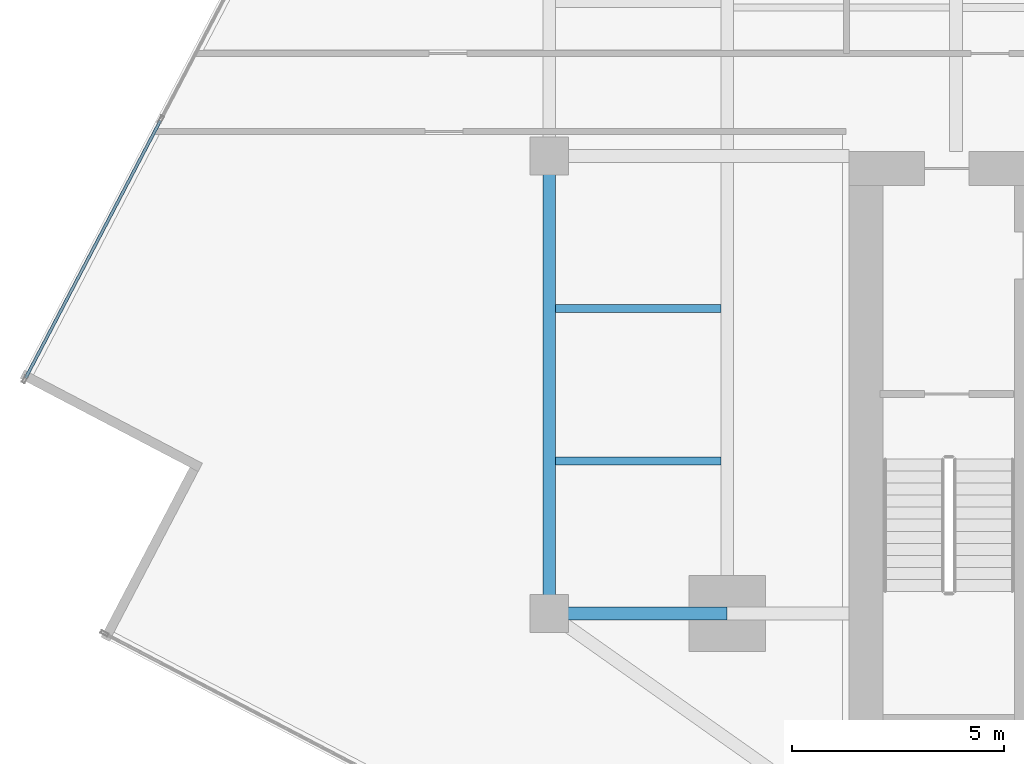
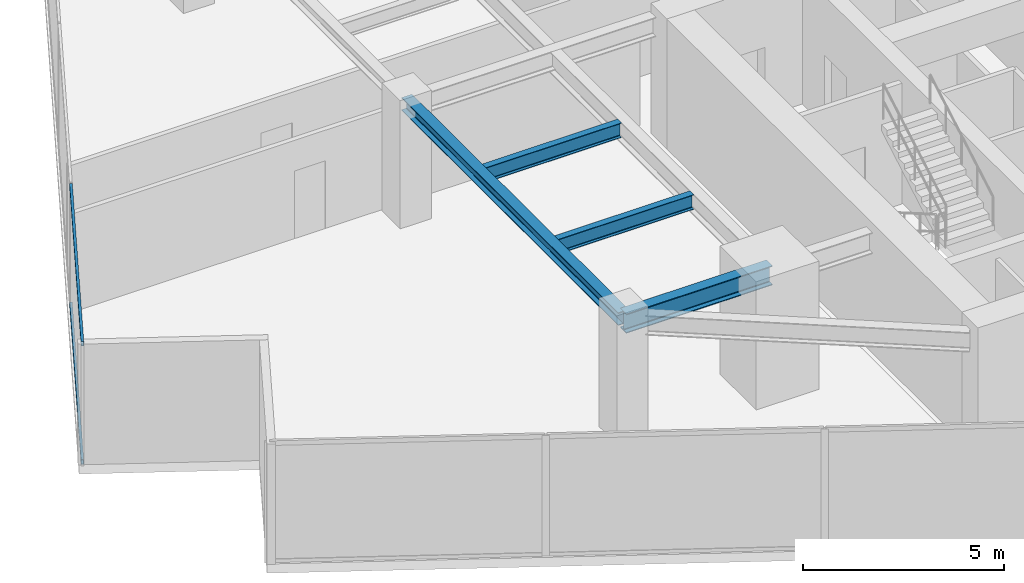
# One storey, part 6 of 27: 4 beams, 2 members, 1 element without a shape of its own.
"""IFC4 building model written with IfcOpenShell, lengths in metres."""

from ifc_helpers import new_model, si_unit, direction, frame, origin, origin_2d, place, context, subcontext, project, spatial, hollow_rectangle, i_section, extrude, source, transform, mapped, material, material_profile, profile_set, type_object, type_shapes, element, aggregate, save


model = new_model("IFC4")

# Units and contexts
model_context = context("Model", 3, precision=1e-05, world=origin(), true_north=direction((0.0, 1.0)))
body_context = subcontext(model_context, "Body", "Model", "MODEL_VIEW")
ifc_project = project(units=[si_unit("LENGTHUNIT", "METRE"), si_unit("AREAUNIT", "SQUARE_METRE"), si_unit("VOLUMEUNIT", "CUBIC_METRE"), si_unit("PLANEANGLEUNIT", "RADIAN"), si_unit("MASSUNIT", "GRAM", prefix="KILO")], contexts=[model_context])

# Site, building, storey
site_placement = place(None, origin())
site = spatial("IfcSite", under=ifc_project, at=site_placement, CompositionType="ELEMENT")
building_placement = place(site_placement, origin())
building = spatial("IfcBuilding", under=site, at=building_placement, Name="Krantzveldt Concourse Tower", CompositionType="ELEMENT")
storey_placement = place(building_placement, frame((0.0, 0.0, 150.14990234375)))
storey = spatial("IfcBuildingStorey", under=building, at=storey_placement, Name="L36", CompositionType="ELEMENT", Elevation=150.14990234375)

# Beams
ifc_material_1 = material(Name="Steel S355JR", Category="steel")
ifc_material_profile_1 = material_profile(ifc_material_1, i_section(OverallWidth=0.300048828125, OverallDepth=0.590087890625, WebThickness=0.012939453125, FlangeThickness=0.02490234375, FilletRadius=0.027099609375, at=origin_2d()), Name="Steel S355JR", Category="steel")
ifc_profile_set_1 = profile_set([ifc_material_profile_1], Name="Steel S355JR - HEA 600")
beam_type_1 = type_object("IfcBeamType", Name="BM-B-HEA600", PredefinedType="BEAM", material=ifc_profile_set_1)
shared_shape_1 = source(origin(), body_context, "Body", "SweptSolid", [
    extrude(i_section(OverallWidth=0.300048828125, OverallDepth=0.590087890625, WebThickness=0.012939453125, FlangeThickness=0.02490234375, FilletRadius=0.027099609375, at=origin_2d()), origin(), (0.0, 0.0, 1.0), 4.199951171875),
])
type_shapes(beam_type_1, [shared_shape_1])
beam_1_placement = place(storey_placement, frame((21.0, 15.89990234375, 3.375), z_axis=(1.0, 0.0, 0.0), x_axis=(0.0, 1.0, 0.0)))
element("IfcBeam", 1, at=beam_1_placement, inside=storey, type_object=beam_type_1, Name="L36 Tower Girder BR-RL1", PredefinedType="BEAM", context=body_context, shape_type="MappedRepresentation", body=[
    mapped(shared_shape_1, transform((0.0, 0.0, 0.0), x_axis=(1.0, 0.0, 0.0), y_axis=(0.0, 1.0, 0.0), z_axis=(0.0, 0.0, 1.0), scale=1.0)),
])
ifc_material_profile_2 = material_profile(ifc_material_1, i_section(OverallWidth=0.300048828125, OverallDepth=0.389892578125, WebThickness=0.010986328125, FlangeThickness=0.01904296875, FilletRadius=0.027099609375, at=origin_2d()), Name="Steel S355JR", Category="steel")
ifc_profile_set_2 = profile_set([ifc_material_profile_2], Name="Steel S355JR - HEA 400")
beam_type_2 = type_object("IfcBeamType", Name="BM-SP-HEA400", PredefinedType="SPANDREL", material=ifc_profile_set_2)
shared_shape_2 = source(origin(), body_context, "Body", "SweptSolid", [
    extrude(i_section(OverallWidth=0.300048828125, OverallDepth=0.389892578125, WebThickness=0.010986328125, FlangeThickness=0.01904296875, FilletRadius=0.027099609375, at=origin_2d()), origin(), (0.0, 0.0, 1.0), 10.800048828125),
])
type_shapes(beam_type_2, [shared_shape_2])
beam_2_placement = place(storey_placement, frame((21.0, 15.89990234375, 3.47509765625), z_axis=(0.0, 1.0, 0.0), x_axis=(-1.0, 0.0, 0.0)))
element("IfcBeam", 2, at=beam_2_placement, inside=storey, type_object=beam_type_2, Name="L36 Tower Girder SP-R01", PredefinedType="SPANDREL", context=body_context, shape_type="MappedRepresentation", body=[
    mapped(shared_shape_2, transform((0.0, 0.0, 0.0), x_axis=(1.0, 0.0, 0.0), y_axis=(0.0, 1.0, 0.0), z_axis=(0.0, 0.0, 1.0), scale=1.0)),
])
ifc_material_profile_3 = material_profile(ifc_material_1, i_section(OverallWidth=0.18994140625, OverallDepth=0.449951171875, WebThickness=0.009521484375, FlangeThickness=0.0146484375, FilletRadius=0.02099609375, at=origin_2d()), Name="Steel S355JR", Category="steel")
ifc_profile_set_3 = profile_set([ifc_material_profile_3], Name="Steel S355JR - IPE 450")
beam_type_3 = type_object("IfcBeamType", Name="BM-J-IPE450", PredefinedType="JOIST", material=ifc_profile_set_3)
shared_shape_3 = source(origin(), body_context, "Body", "SweptSolid", [
    extrude(i_section(OverallWidth=0.18994140625, OverallDepth=0.449951171875, WebThickness=0.009521484375, FlangeThickness=0.0146484375, FilletRadius=0.02099609375, at=origin_2d()), origin(), (0.0, 0.0, 1.0), 3.900146484375),
])
type_shapes(beam_type_3, [shared_shape_3])
for number, where, z_axis, x_axis, name in (
    (3, (21.14990234375, 19.5, 3.445068359375), (1.0, 0.0, 0.0), (0.0, 1.0, 0.0), "L36 Secondary Floor Joist JW-1"),
    (4, (21.14990234375, 23.10009765625, 3.445068359375), (1.0, 0.0, 0.0), (0.0, 1.0, 0.0), "L36 Secondary Floor Joist JW-2"),
):
    element("IfcBeam", number, at=place(storey_placement, frame(where, z_axis=z_axis, x_axis=x_axis)), inside=storey, type_object=beam_type_3, Name=name, PredefinedType="JOIST", context=body_context, shape_type="MappedRepresentation", body=[
        mapped(shared_shape_3, transform((0.0, 0.0, 0.0), x_axis=(1.0, 0.0, 0.0), y_axis=(0.0, 1.0, 0.0), z_axis=(0.0, 0.0, 1.0), scale=1.0)),
    ])

# Curtain wall, members
ifc_material_2 = material(Name="Anodised aluminium 6063-T6", Category="aluminium")
curtain_wall_type = type_object("IfcCurtainWallType", Name="CW3", PredefinedType="USERDEFINED", material=ifc_material_2)
curtain_wall_placement = place(storey_placement, origin())
curtain_wall = element("IfcCurtainWall", 5, at=curtain_wall_placement, inside=storey, type_object=curtain_wall_type, Name="CW-L36-F01", ObjectType="UNITISED CURTAIN WALL", PredefinedType="USERDEFINED")
ifc_material_profile_4 = material_profile(ifc_material_2, hollow_rectangle(XDim=0.070068359375, YDim=0.139892578125, WallThickness=0.0048828125, at=origin_2d()), Name="Anodised aluminium 6063-T6", Category="aluminium")
ifc_profile_set_4 = profile_set([ifc_material_profile_4], Name="Anodised aluminium 6063-T6 - ALU-TRAN 140x70x5")
member_type = type_object("IfcMemberType", Name="CW-TRN-150", PredefinedType="USERDEFINED", material=ifc_profile_set_4)
shared_shape_4 = source(origin(), body_context, "Body", "SweptSolid", [
    extrude(hollow_rectangle(XDim=0.070068359375, YDim=0.139892578125, WallThickness=0.0048828125, at=origin_2d()), origin(), (0.0, 0.0, 1.0), 6.85498046875),
])
type_shapes(member_type, [shared_shape_4])
member_1_placement = place(storey_placement, frame((11.8193359375, 27.531982421875, 0.03515625), z_axis=(-0.463704875487, -0.885989722542, 0.0), x_axis=(0.885989722542, -0.463704875487, 0.0)))
member_1 = element("IfcMember", 6, at=member_1_placement, type_object=member_type, Name="CW-Z34 transom 5.1", ObjectType="TRANSOM", PredefinedType="USERDEFINED", context=body_context, shape_type="MappedRepresentation", body=[
    mapped(shared_shape_4, transform((0.0, 0.0, 0.0), x_axis=(1.0, 0.0, 0.0), y_axis=(0.0, 1.0, 0.0), z_axis=(0.0, 0.0, 1.0), scale=1.0)),
])
member_2_placement = place(storey_placement, frame((11.8193359375, 27.531982421875, 3.635009765625), z_axis=(-0.463704875487, -0.885989722542, 0.0), x_axis=(0.885989722542, -0.463704875487, 0.0)))
member_2 = element("IfcMember", 7, at=member_2_placement, type_object=member_type, Name="CW-Z34 transom 5.2", ObjectType="TRANSOM", PredefinedType="USERDEFINED", context=body_context, shape_type="MappedRepresentation", body=[
    mapped(shared_shape_4, transform((0.0, 0.0, 0.0), x_axis=(1.0, 0.0, 0.0), y_axis=(0.0, 1.0, 0.0), z_axis=(0.0, 0.0, 1.0), scale=1.0)),
])
aggregate(curtain_wall, [member_1, member_2])

save(model, "model.ifc")
